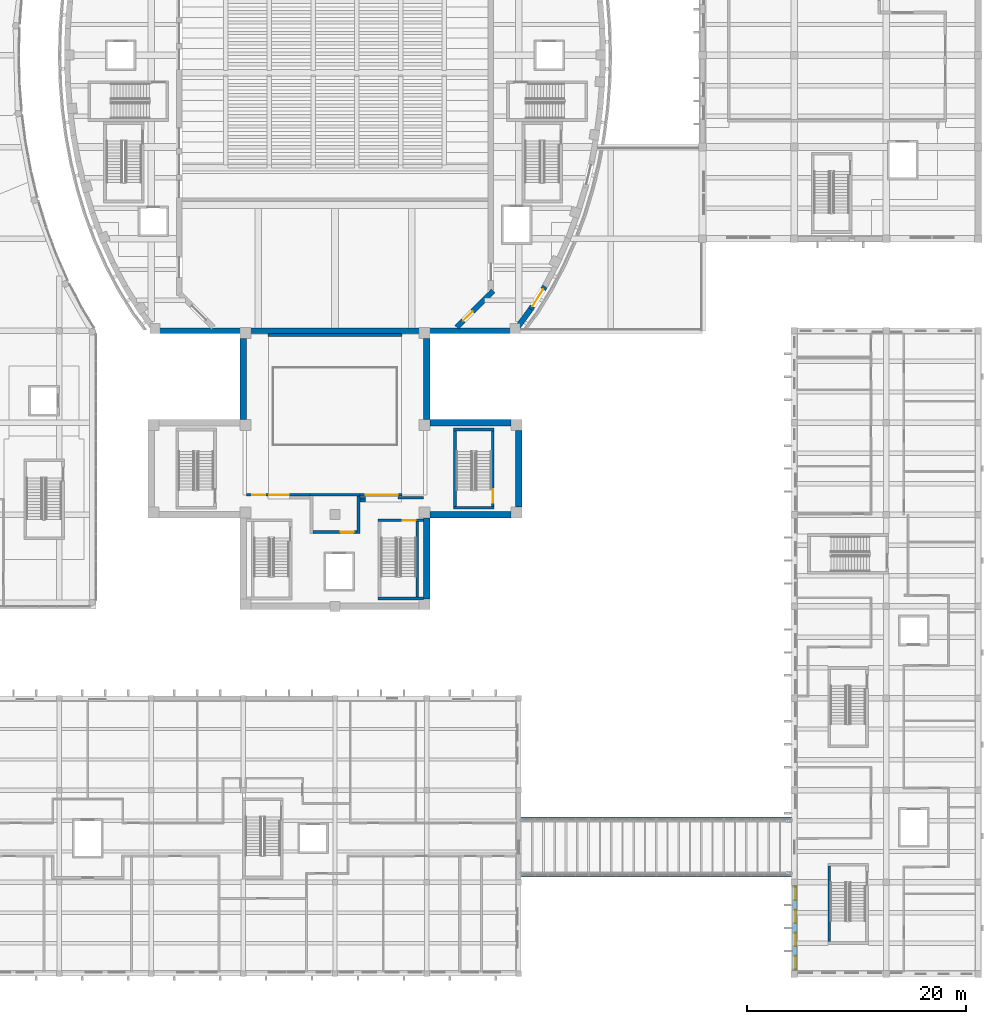
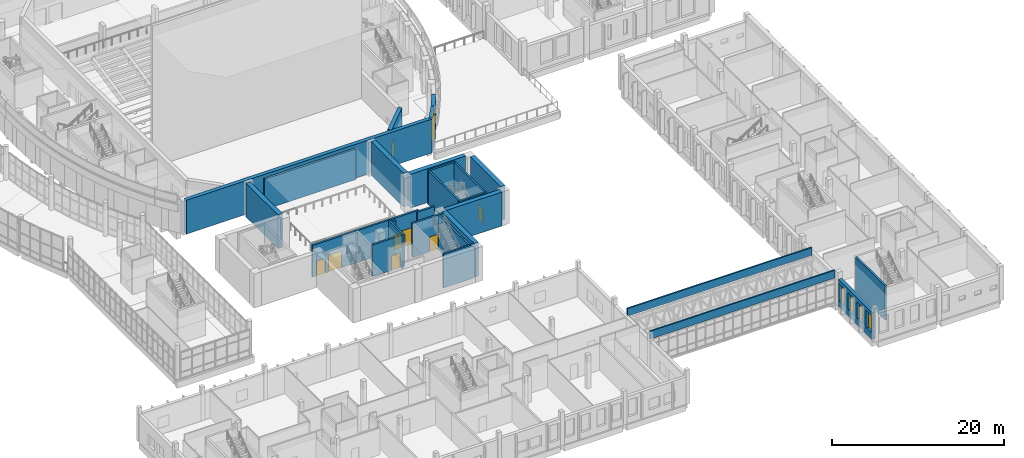
# One storey, part 61 of 119: 30 walls, 9 doors, 4 windows, 13 openings.
"""IFC4 building model written with IfcOpenShell, lengths in metres."""

from ifc_helpers import new_model, si_unit, direction, frame, frame_2d, origin, place, context, subcontext, project, spatial, rectangle, extrude, material, layer, layer_set, type_object, element, fill, save


model = new_model("IFC4")

# Units and contexts
model_context = context("Model", 3, precision=1e-05, world=origin(), true_north=direction((0.0, 1.0)))
body_context = subcontext(model_context, "Body", "Model", "MODEL_VIEW")
ifc_project = project(units=[si_unit("LENGTHUNIT", "METRE"), si_unit("AREAUNIT", "SQUARE_METRE"), si_unit("VOLUMEUNIT", "CUBIC_METRE"), si_unit("PLANEANGLEUNIT", "RADIAN"), si_unit("MASSUNIT", "GRAM", prefix="KILO")], contexts=[model_context])

# Site, building, storey
site_placement = place(None, origin())
site = spatial("IfcSite", under=ifc_project, at=site_placement, CompositionType="ELEMENT")
building_placement = place(site_placement, origin())
building = spatial("IfcBuilding", under=site, at=building_placement, Name="Larchfold Concert Hall", CompositionType="ELEMENT")
storey_placement = place(building_placement, frame((0.0, 0.0, 4.800048828125)))
storey = spatial("IfcBuildingStorey", under=building, at=storey_placement, Name="L01", CompositionType="ELEMENT", Elevation=4.800048828125)

# Walls
ifc_material_1 = material(Name="Plasterboard partition on steel studs", Category="steel")
ifc_layer_1 = layer(ifc_material_1, 0.25)
ifc_layer_set_1 = layer_set([ifc_layer_1], Name="Plasterboard partition on steel studs")
wall_type_1 = type_object("IfcWallType", Name="Hall acoustic double-leaf partition 250", PredefinedType="PARTITIONING", material=ifc_layer_set_1)
wall_1_placement = place(storey_placement, frame((40.323974609375, 44.39990234375, 0.0), z_axis=(0.0, 0.0, 1.0), x_axis=(1.0, 0.0, 0.0)))
element("IfcWall", 1, at=wall_1_placement, inside=storey, type_object=wall_type_1, Name="Partition IW0016", PredefinedType="PARTITIONING", context=body_context, shape_type="SweptSolid", body=[
    extrude(rectangle(XDim=4.551025390625, YDim=0.25, at=frame_2d((2.275390625, 0.0))), origin(), (0.0, 0.0, 1.0), 4.52001953125),
])
wall_2_placement = place(storey_placement, frame((44.75, 44.27490234375, 0.0), z_axis=(0.0, 0.0, 1.0), x_axis=(0.0, -1.0, 0.0)))
element("IfcWall", 2, at=wall_2_placement, inside=storey, type_object=wall_type_1, Name="Partition IW0018", PredefinedType="PARTITIONING", context=body_context, shape_type="SweptSolid", body=[
    extrude(rectangle(XDim=3.39990234375, YDim=0.25, at=frame_2d((1.699951171875, 0.0))), origin(), (0.0, 0.0, 1.0), 4.52001953125),
])

# Wall, opening, door
wall_3_placement = place(storey_placement, frame((44.625, 41.0, 0.0), z_axis=(0.0, 0.0, 1.0), x_axis=(-1.0, 0.0, 0.0)))
wall_3 = element("IfcWall", 3, at=wall_3_placement, inside=storey, type_object=wall_type_1, Name="Partition IW0019", PredefinedType="PARTITIONING", context=body_context, shape_type="SweptSolid", body=[
    extrude(rectangle(XDim=4.050048828125, YDim=0.25, at=frame_2d((2.02490234375, 0.0))), origin(), (0.0, 0.0, 1.0), 4.52001953125),
])
opening_1_placement = place(wall_3_placement, frame((0.315185546875, 0.0, 0.0)))
opening_1 = element("IfcOpeningElement", 4, at=opening_1_placement, cuts=wall_3, Name="Opening D-L01-115", PredefinedType="OPENING", context=body_context, shape_type="SweptSolid", body=[
    extrude(rectangle(XDim=1.199951171875, YDim=2.10009765625, at=frame_2d((0.60009765625, 1.050048828125))), frame((0.0, 0.135009765625, 0.0), z_axis=(0.0, -1.0, 0.0), x_axis=(1.0, 0.0, 0.0)), (0.0, 0.0, 1.0), 0.27001953125),
])
ifc_material_2 = material(Name="Timber door leaf", Category="wood")
door_type_1 = type_object("IfcDoorType", Name="Stage and workshop door pair 1200 x 2100 FD60", OperationType="SINGLE_SWING_LEFT", PredefinedType="DOOR", material=ifc_material_2)
door_1_placement = place(opening_1_placement, origin())
door_1 = element("IfcDoor", 5, at=door_1_placement, inside=storey, type_object=door_type_1, Name="Door D-L01-115", OperationType="DOUBLE_DOOR_SINGLE_SWING", OverallHeight=2.10009765625, OverallWidth=1.199951171875, PredefinedType="DOOR", context=body_context, shape_type="SweptSolid", body=[
    extrude(rectangle(XDim=1.199951171875, YDim=2.10009765625, at=frame_2d((0.60009765625, 1.050048828125))), frame((0.0, 0.02490234375, 0.0), z_axis=(0.0, -1.0, 0.0), x_axis=(1.0, 0.0, 0.0)), (0.0, 0.0, 1.0), 0.050048828125),
])
fill(opening_1, door_1)

# Wall
wall_4_placement = place(storey_placement, frame((36.47998046875, 59.02294921875, 0.0), z_axis=(0.0, 0.0, 1.0), x_axis=(1.0, 0.0, 0.0)))
element("IfcWall", 6, at=wall_4_placement, inside=storey, type_object=wall_type_1, Name="Partition IW0020", PredefinedType="PARTITIONING", context=body_context, shape_type="SweptSolid", body=[
    extrude(rectangle(XDim=12.239990234375, YDim=0.25, at=frame_2d((6.1201171875, 0.0))), origin(), (0.0, 0.0, 1.0), 4.31982421875),
])

# Wall, openings, doors
wall_5_placement = place(storey_placement, frame((48.719970703125, 44.39990234375, 0.0), z_axis=(0.0, 0.0, 1.0), x_axis=(-1.0, 0.0, 0.0)))
wall_5 = element("IfcWall", 7, at=wall_5_placement, inside=storey, type_object=wall_type_1, Name="Partition IW0021", PredefinedType="PARTITIONING", context=body_context, shape_type="SweptSolid", body=[
    extrude(rectangle(XDim=3.8349609375, YDim=0.25, at=frame_2d((1.91748046875, 0.0))), origin(), (0.0, 0.0, 1.0), 4.52001953125),
])
opening_2_placement = place(wall_5_placement, frame((0.393798828125, 0.0, 0.0)))
opening_2 = element("IfcOpeningElement", 8, at=opening_2_placement, cuts=wall_5, Name="Opening D-L01-116", PredefinedType="OPENING", context=body_context, shape_type="SweptSolid", body=[
    extrude(rectangle(XDim=1.800048828125, YDim=2.39990234375, at=frame_2d((0.89990234375, 1.199951171875))), frame((0.0, 0.135009765625, 0.0), z_axis=(0.0, -1.0, 0.0), x_axis=(1.0, 0.0, 0.0)), (0.0, 0.0, 1.0), 0.27001953125),
])
opening_3_placement = place(wall_5_placement, frame((2.29150390625, 0.0, 0.0)))
opening_3 = element("IfcOpeningElement", 9, at=opening_3_placement, cuts=wall_5, Name="Opening D-L01-117", PredefinedType="OPENING", context=body_context, shape_type="SweptSolid", body=[
    extrude(rectangle(XDim=1.0, YDim=2.10009765625, at=frame_2d((0.5, 1.050048828125))), frame((0.0, 0.135009765625, 0.0), z_axis=(0.0, -1.0, 0.0), x_axis=(1.0, 0.0, 0.0)), (0.0, 0.0, 1.0), 0.27001953125),
])
ifc_material_3 = material(Name="Timber door leaf", Category="wood")
door_type_2 = type_object("IfcDoorType", Name="Hall vomitory door pair, acoustic 1000 x 2100 FD60", OperationType="SINGLE_SWING_LEFT", PredefinedType="DOOR", material=ifc_material_3)
door_2_placement = place(opening_3_placement, origin())
door_2 = element("IfcDoor", 10, at=door_2_placement, inside=storey, type_object=door_type_2, Name="Door D-L01-117", OperationType="SINGLE_SWING_LEFT", OverallHeight=2.10009765625, OverallWidth=1.0, PredefinedType="DOOR", context=body_context, shape_type="SweptSolid", body=[
    extrude(rectangle(XDim=1.0, YDim=2.10009765625, at=frame_2d((0.5, 1.050048828125))), frame((0.0, 0.02490234375, 0.0), z_axis=(0.0, -1.0, 0.0), x_axis=(1.0, 0.0, 0.0)), (0.0, 0.0, 1.0), 0.050048828125),
])
fill(opening_3, door_2)
ifc_material_4 = material(Name="Timber door leaf", Category="wood")
door_type_3 = type_object("IfcDoorType", Name="Hall vomitory door pair, acoustic 1800 x 2400 FD60", OperationType="SINGLE_SWING_LEFT", PredefinedType="DOOR", material=ifc_material_4)
door_3_placement = place(opening_2_placement, origin())
door_3 = element("IfcDoor", 11, at=door_3_placement, inside=storey, type_object=door_type_3, Name="Door D-L01-116", OperationType="DOUBLE_DOOR_SINGLE_SWING", OverallHeight=2.39990234375, OverallWidth=1.800048828125, PredefinedType="DOOR", context=body_context, shape_type="SweptSolid", body=[
    extrude(rectangle(XDim=1.800048828125, YDim=2.39990234375, at=frame_2d((0.89990234375, 1.199951171875))), frame((0.0, 0.02490234375, 0.0), z_axis=(0.0, -1.0, 0.0), x_axis=(1.0, 0.0, 0.0)), (0.0, 0.0, 1.0), 0.050048828125),
])
fill(opening_2, door_3)

# Wall
wall_6_placement = place(storey_placement, frame((50.699951171875, 44.14794921875, 0.0), z_axis=(0.0, 0.0, 1.0), x_axis=(-1.0, 0.0, 0.0)))
element("IfcWall", 12, at=wall_6_placement, inside=storey, type_object=wall_type_1, Name="Partition IW0022", PredefinedType="PARTITIONING", context=body_context, shape_type="SweptSolid", body=[
    extrude(rectangle(XDim=2.32373046875, YDim=0.25, at=frame_2d((1.161865234375, 0.0))), origin(), (0.0, 0.0, 1.0), 4.52001953125),
])

# Wall, openings, doors
wall_7_placement = place(storey_placement, frame((40.323974609375, 44.39990234375, 0.0), z_axis=(0.0, 0.0, 1.0), x_axis=(-1.0, 0.0, 0.0)))
wall_7 = element("IfcWall", 13, at=wall_7_placement, inside=storey, type_object=wall_type_1, Name="Partition IW0023", PredefinedType="PARTITIONING", context=body_context, shape_type="SweptSolid", body=[
    extrude(rectangle(XDim=5.823974609375, YDim=0.25, at=frame_2d((2.912109375, 0.0))), origin(), (0.0, 0.0, 1.0), 4.52001953125),
])
opening_4_placement = place(wall_7_placement, frame((1.939208984375, 0.0, 0.0)))
opening_4 = element("IfcOpeningElement", 14, at=opening_4_placement, cuts=wall_7, Name="Opening D-L01-118", PredefinedType="OPENING", context=body_context, shape_type="SweptSolid", body=[
    extrude(rectangle(XDim=1.800048828125, YDim=2.39990234375, at=frame_2d((0.89990234375, 1.199951171875))), frame((0.0, 0.135009765625, 0.0), z_axis=(0.0, -1.0, 0.0), x_axis=(1.0, 0.0, 0.0)), (0.0, 0.0, 1.0), 0.27001953125),
])
opening_5_placement = place(wall_7_placement, frame((4.089111328125, 0.0, 0.0)))
opening_5 = element("IfcOpeningElement", 15, at=opening_5_placement, cuts=wall_7, Name="Opening D-L01-119", PredefinedType="OPENING", context=body_context, shape_type="SweptSolid", body=[
    extrude(rectangle(XDim=1.199951171875, YDim=2.10009765625, at=frame_2d((0.60009765625, 1.050048828125))), frame((0.0, 0.135009765625, 0.0), z_axis=(0.0, -1.0, 0.0), x_axis=(1.0, 0.0, 0.0)), (0.0, 0.0, 1.0), 0.27001953125),
])
ifc_material_5 = material(Name="Timber door leaf", Category="wood")
door_type_4 = type_object("IfcDoorType", Name="Hall vomitory door pair, acoustic 1200 x 2100 FD60", OperationType="SINGLE_SWING_LEFT", PredefinedType="DOOR", material=ifc_material_5)
door_4_placement = place(opening_5_placement, origin())
door_4 = element("IfcDoor", 16, at=door_4_placement, inside=storey, type_object=door_type_4, Name="Door D-L01-119", OperationType="DOUBLE_DOOR_SINGLE_SWING", OverallHeight=2.10009765625, OverallWidth=1.199951171875, PredefinedType="DOOR", context=body_context, shape_type="SweptSolid", body=[
    extrude(rectangle(XDim=1.199951171875, YDim=2.10009765625, at=frame_2d((0.60009765625, 1.050048828125))), frame((0.0, 0.02490234375, 0.0), z_axis=(0.0, -1.0, 0.0), x_axis=(1.0, 0.0, 0.0)), (0.0, 0.0, 1.0), 0.050048828125),
])
fill(opening_5, door_4)
door_5_placement = place(opening_4_placement, origin())
door_5 = element("IfcDoor", 17, at=door_5_placement, inside=storey, type_object=door_type_3, Name="Door D-L01-118", OperationType="DOUBLE_DOOR_SINGLE_SWING", OverallHeight=2.39990234375, OverallWidth=1.800048828125, PredefinedType="DOOR", context=body_context, shape_type="SweptSolid", body=[
    extrude(rectangle(XDim=1.800048828125, YDim=2.39990234375, at=frame_2d((0.89990234375, 1.199951171875))), frame((0.0, 0.02490234375, 0.0), z_axis=(0.0, -1.0, 0.0), x_axis=(1.0, 0.0, 0.0)), (0.0, 0.0, 1.0), 0.050048828125),
])
fill(opening_4, door_5)

# Walls
for number, where, z_axis, x_axis, name in (
    (18, (45.37841796875, 43.89599609375, 0.0), (0.0, 0.0, 1.0), (-1.0, 0.0, 0.0), "Partition IW0024"),
    (19, (45.37841796875, 44.14794921875, 0.0), (0.0, 0.0, 1.0), (-1.0, 0.0, 0.0), "Partition IW0155"),
):
    element("IfcWall", number, at=place(storey_placement, frame(where, z_axis=z_axis, x_axis=x_axis)), inside=storey, type_object=wall_type_1, Name=name, PredefinedType="PARTITIONING", context=body_context, shape_type="SweptSolid", body=[
        extrude(rectangle(XDim=0.50341796875, YDim=0.25, at=frame_2d((0.251708984375, 0.0))), origin(), (0.0, 0.0, 1.0), 4.52001953125),
    ])
ifc_material_6 = material(Name="White render on insulated block")
ifc_layer_2 = layer(ifc_material_6, 0.199951171875)
ifc_layer_set_2 = layer_set([ifc_layer_2], Name="White render on insulated block")
wall_type_2 = type_object("IfcWallType", Name="Roof parapet 200", PredefinedType="PARAPET", material=ifc_layer_set_2)
for number, where, z_axis, x_axis, name in (
    (20, (84.344970703125, 14.849853515625, 3.579833984375), (0.0, 0.0, 1.0), (-1.0, 0.0, 0.0), "Parapet PW0073"),
    (21, (59.599853515625, 9.550048828125, 3.579833984375), (0.0, 0.0, 1.0), (1.0, 0.0, 0.0), "Parapet PW0074"),
):
    element("IfcWall", number, at=place(storey_placement, frame(where, z_axis=z_axis, x_axis=x_axis)), inside=storey, type_object=wall_type_2, Name=name, PredefinedType="PARAPET", context=body_context, shape_type="SweptSolid", body=[
        extrude(rectangle(XDim=24.7451171875, YDim=0.199951171875, at=frame_2d((12.37255859375, 0.0))), origin(), (0.0, 0.0, 1.0), 1.10009765625),
    ])
ifc_material_7 = material(Name="Concrete C40/50", Category="concrete")
ifc_layer_3 = layer(ifc_material_7, 0.25)
ifc_layer_set_3 = layer_set([ifc_layer_3], Name="Concrete C40/50")
wall_type_3 = type_object("IfcWallType", Name="Wall RC 250 stair core", PredefinedType="SOLIDWALL", material=ifc_layer_set_3)
for number, where, z_axis, x_axis, name in (
    (22, (53.449951171875, 43.22509765625, 0.0), (0.0, 0.0, 1.0), (1.0, 0.0, 0.0), "Wall W0068"),
    (23, (53.449951171875, 50.375, 0.0), (0.0, 0.0, 1.0), (1.0, 0.0, 0.0), "Wall W0069"),
):
    element("IfcWall", number, at=place(storey_placement, frame(where, z_axis=z_axis, x_axis=x_axis)), inside=storey, type_object=wall_type_3, Name=name, PredefinedType="SOLIDWALL", context=body_context, shape_type="SweptSolid", body=[
        extrude(rectangle(XDim=3.699951171875, YDim=0.25, at=frame_2d((1.85009765625, 0.0))), origin(), (0.0, 0.0, 1.0), 4.800048828125),
    ])
wall_8_placement = place(storey_placement, frame((53.574951171875, 43.35009765625, 0.0), z_axis=(0.0, 0.0, 1.0), x_axis=(0.0, 1.0, 0.0)))
element("IfcWall", 24, at=wall_8_placement, inside=storey, type_object=wall_type_3, Name="Wall W0070", PredefinedType="SOLIDWALL", context=body_context, shape_type="SweptSolid", body=[
    extrude(rectangle(XDim=6.89990234375, YDim=0.25, at=frame_2d((3.449951171875, 0.0))), origin(), (0.0, 0.0, 1.0), 4.800048828125),
])

# Wall, opening, door
wall_9_placement = place(storey_placement, frame((57.02490234375, 43.35009765625, 0.0), z_axis=(0.0, 0.0, 1.0), x_axis=(0.0, 1.0, 0.0)))
wall_9 = element("IfcWall", 25, at=wall_9_placement, inside=storey, type_object=wall_type_3, Name="Wall W0071", PredefinedType="SOLIDWALL", context=body_context, shape_type="SweptSolid", body=[
    extrude(rectangle(XDim=6.89990234375, YDim=0.25, at=frame_2d((3.449951171875, 0.0))), origin(), (0.0, 0.0, 1.0), 4.800048828125),
])
opening_6_placement = place(wall_9_placement, frame((0.35009765625, 0.0, 0.0)))
opening_6 = element("IfcOpeningElement", 26, at=opening_6_placement, cuts=wall_9, Name="Opening D-L01-172", PredefinedType="OPENING", context=body_context, shape_type="SweptSolid", body=[
    extrude(rectangle(XDim=1.199951171875, YDim=2.10009765625, at=frame_2d((0.60009765625, 1.050048828125))), frame((0.0, 0.135009765625, 0.0), z_axis=(0.0, -1.0, 0.0), x_axis=(1.0, 0.0, 0.0)), (0.0, 0.0, 1.0), 0.27001953125),
])
ifc_material_8 = material(Name="Timber door leaf", Category="wood")
door_type_5 = type_object("IfcDoorType", Name="Stair enclosure door pair 1200 x 2100 FD60", OperationType="SINGLE_SWING_LEFT", PredefinedType="DOOR", material=ifc_material_8)
door_6_placement = place(opening_6_placement, origin())
door_6 = element("IfcDoor", 27, at=door_6_placement, inside=storey, type_object=door_type_5, Name="Door D-L01-172", OperationType="DOUBLE_DOOR_SINGLE_SWING", OverallHeight=2.10009765625, OverallWidth=1.199951171875, PredefinedType="DOOR", context=body_context, shape_type="SweptSolid", body=[
    extrude(rectangle(XDim=1.199951171875, YDim=2.10009765625, at=frame_2d((0.60009765625, 1.050048828125))), frame((0.0, 0.02490234375, 0.0), z_axis=(0.0, -1.0, 0.0), x_axis=(1.0, 0.0, 0.0)), (0.0, 0.0, 1.0), 0.050048828125),
])
fill(opening_6, door_6)

# Wall
wall_10_placement = place(storey_placement, frame((46.550048828125, 34.925048828125, 0.0), z_axis=(0.0, 0.0, 1.0), x_axis=(1.0, 0.0, 0.0)))
element("IfcWall", 28, at=wall_10_placement, inside=storey, type_object=wall_type_3, Name="Wall W0076", PredefinedType="SOLIDWALL", context=body_context, shape_type="SweptSolid", body=[
    extrude(rectangle(XDim=4.14990234375, YDim=0.25, at=frame_2d((2.074951171875, 0.0))), origin(), (0.0, 0.0, 1.0), 4.800048828125),
])

# Wall, opening, door
wall_11_placement = place(storey_placement, frame((46.550048828125, 42.074951171875, 0.0), z_axis=(0.0, 0.0, 1.0), x_axis=(1.0, 0.0, 0.0)))
wall_11 = element("IfcWall", 29, at=wall_11_placement, inside=storey, type_object=wall_type_3, Name="Wall W0077", PredefinedType="SOLIDWALL", context=body_context, shape_type="SweptSolid", body=[
    extrude(rectangle(XDim=4.14990234375, YDim=0.25, at=frame_2d((2.074951171875, 0.0))), origin(), (0.0, 0.0, 1.0), 4.800048828125),
])
opening_7_placement = place(wall_11_placement, frame((2.25, 0.0, 0.0)))
opening_7 = element("IfcOpeningElement", 30, at=opening_7_placement, cuts=wall_11, Name="Opening D-L01-170", PredefinedType="OPENING", context=body_context, shape_type="SweptSolid", body=[
    extrude(rectangle(XDim=1.199951171875, YDim=2.10009765625, at=frame_2d((0.60009765625, 1.050048828125))), frame((0.0, 0.135009765625, 0.0), z_axis=(0.0, -1.0, 0.0), x_axis=(1.0, 0.0, 0.0)), (0.0, 0.0, 1.0), 0.27001953125),
])
door_7_placement = place(opening_7_placement, origin())
door_7 = element("IfcDoor", 31, at=door_7_placement, inside=storey, type_object=door_type_5, Name="Door D-L01-170", OperationType="DOUBLE_DOOR_SINGLE_SWING", OverallHeight=2.10009765625, OverallWidth=1.199951171875, PredefinedType="DOOR", context=body_context, shape_type="SweptSolid", body=[
    extrude(rectangle(XDim=1.199951171875, YDim=2.10009765625, at=frame_2d((0.60009765625, 1.050048828125))), frame((0.0, 0.02490234375, 0.0), z_axis=(0.0, -1.0, 0.0), x_axis=(1.0, 0.0, 0.0)), (0.0, 0.0, 1.0), 0.050048828125),
])
fill(opening_7, door_7)

# Walls
for number, where, z_axis, x_axis, name in (
    (32, (50.125, 35.050048828125, 0.0), (0.0, 0.0, 1.0), (0.0, 1.0, 0.0), "Wall W0079"),
    (33, (87.77490234375, 3.550048828125, 0.0), (0.0, 0.0, 1.0), (0.0, 1.0, 0.0), "Wall W0082"),
):
    element("IfcWall", number, at=place(storey_placement, frame(where, z_axis=z_axis, x_axis=x_axis)), inside=storey, type_object=wall_type_3, Name=name, PredefinedType="SOLIDWALL", context=body_context, shape_type="SweptSolid", body=[
        extrude(rectangle(XDim=6.89990234375, YDim=0.25, at=frame_2d((3.449951171875, 0.0))), origin(), (0.0, 0.0, 1.0), 4.800048828125),
    ])
ifc_material_9 = material(Name="Concrete C30/37", Category="concrete")
ifc_layer_4 = layer(ifc_material_9, 0.5)
ifc_layer_set_4 = layer_set([ifc_layer_4], Name="Concrete C30/37")
wall_type_4 = type_object("IfcWallType", Name="Wall RC 500 drum facade", PredefinedType="SOLIDWALL", material=ifc_layer_set_4)
wall_12_placement = place(storey_placement, frame((26.153076171875, 59.39990234375, 0.0), z_axis=(0.0, 0.0, 1.0), x_axis=(1.0, 0.0, 0.0)))
element("IfcWall", 34, at=wall_12_placement, inside=storey, type_object=wall_type_4, Name="Wall DW050", PredefinedType="SOLIDWALL", context=body_context, shape_type="SweptSolid", body=[
    extrude(rectangle(XDim=32.89404296875, YDim=0.5, at=frame_2d((16.447021484375, 0.0))), origin(), (0.0, 0.0, 1.0), 4.800048828125),
])
wall_13_placement = place(storey_placement, frame((59.047119140625, 59.39990234375, 0.0), z_axis=(0.0, 0.0, 1.0), x_axis=(0.590771306399, 0.806839056774, 0.0)))
element("IfcWall", 35, at=wall_13_placement, inside=storey, type_object=wall_type_4, Name="Wall DW051", PredefinedType="SOLIDWALL", context=body_context, shape_type="SweptSolid", body=[
    extrude(rectangle(XDim=2.448486328125, YDim=0.5, at=frame_2d((1.22412109375, 0.0))), origin(), (0.0, 0.0, 1.0), 4.800048828125),
])

# Wall, opening, door
wall_14_placement = place(storey_placement, frame((60.49365234375, 61.37548828125, 0.0), z_axis=(0.0, 0.0, 1.0), x_axis=(0.527702820527, 0.849429063082, 0.0)))
wall_14 = element("IfcWall", 36, at=wall_14_placement, inside=storey, type_object=wall_type_4, Name="Wall DW052", PredefinedType="SOLIDWALL", context=body_context, shape_type="SweptSolid", body=[
    extrude(rectangle(XDim=2.44873046875, YDim=0.5, at=frame_2d((1.224365234375, 0.0))), origin(), (0.0, 0.0, 1.0), 4.800048828125),
])
opening_8_placement = place(wall_14_placement, frame((0.324462890625, 0.0, 0.0)))
opening_8 = element("IfcOpeningElement", 37, at=opening_8_placement, cuts=wall_14, Name="Opening D-L01-201", PredefinedType="OPENING", context=body_context, shape_type="SweptSolid", body=[
    extrude(rectangle(XDim=1.800048828125, YDim=2.39990234375, at=frame_2d((0.89990234375, 1.199951171875))), frame((0.0, 0.260009765625, 0.0), z_axis=(0.0, -1.0, 0.0), x_axis=(1.0, 0.0, 0.0)), (0.0, 0.0, 1.0), 0.52001953125),
])
ifc_material_10 = material(Name="Anodised graphite aluminium door leaf", Category="aluminium")
door_type_6 = type_object("IfcDoorType", Name="Double door 1800x2400", OperationType="DOUBLE_DOOR_SINGLE_SWING", PredefinedType="DOOR", material=ifc_material_10)
door_8_placement = place(opening_8_placement, origin())
door_8 = element("IfcDoor", 38, at=door_8_placement, inside=storey, type_object=door_type_6, Name="Door D-L01-201", OperationType="DOUBLE_DOOR_SINGLE_SWING", OverallHeight=2.39990234375, OverallWidth=1.800048828125, PredefinedType="DOOR", context=body_context, shape_type="SweptSolid", body=[
    extrude(rectangle(XDim=1.800048828125, YDim=2.39990234375, at=frame_2d((0.89990234375, 1.199951171875))), frame((0.0, 0.02490234375, 0.0), z_axis=(0.0, -1.0, 0.0), x_axis=(1.0, 0.0, 0.0)), (0.0, 0.0, 1.0), 0.050048828125),
])
fill(opening_8, door_8)

ifc_material_11 = material(Name="Concrete C40/50", Category="concrete")
ifc_layer_5 = layer(ifc_material_11, 0.5)
ifc_layer_set_5 = layer_set([ifc_layer_5], Name="Concrete C40/50")
wall_type_5 = type_object("IfcWallType", Name="Wall RC 500 hall shell", PredefinedType="SOLIDWALL", material=ifc_layer_set_5)
wall_15_placement = place(storey_placement, frame((53.722900390625, 59.72265625, 0.0), z_axis=(0.0, 0.0, 1.0), x_axis=(0.707106781187, 0.707106781187, 0.0)))
wall_15 = element("IfcWall", 39, at=wall_15_placement, inside=storey, type_object=wall_type_5, Name="Wall W0001", PredefinedType="SOLIDWALL", context=body_context, shape_type="SweptSolid", body=[
    extrude(rectangle(XDim=4.720947265625, YDim=0.5, at=frame_2d((2.3603515625, 0.0))), origin(), (0.0, 0.0, 1.0), 4.800048828125),
])
opening_9_placement = place(wall_15_placement, frame((0.846923828125, 0.0, 0.0)))
opening_9 = element("IfcOpeningElement", 40, at=opening_9_placement, cuts=wall_15, Name="Opening D-L01-103", PredefinedType="OPENING", context=body_context, shape_type="SweptSolid", body=[
    extrude(rectangle(XDim=1.199951171875, YDim=2.10009765625, at=frame_2d((0.60009765625, 1.050048828125))), frame((0.0, 0.260009765625, 0.0), z_axis=(0.0, -1.0, 0.0), x_axis=(1.0, 0.0, 0.0)), (0.0, 0.0, 1.0), 0.52001953125),
])
door_9_placement = place(opening_9_placement, origin())
door_9 = element("IfcDoor", 41, at=door_9_placement, inside=storey, type_object=door_type_4, Name="Door D-L01-103", OperationType="DOUBLE_DOOR_SINGLE_SWING", OverallHeight=2.10009765625, OverallWidth=1.199951171875, PredefinedType="DOOR", context=body_context, shape_type="SweptSolid", body=[
    extrude(rectangle(XDim=1.199951171875, YDim=2.10009765625, at=frame_2d((0.60009765625, 1.050048828125))), frame((0.0, 0.02490234375, 0.0), z_axis=(0.0, -1.0, 0.0), x_axis=(1.0, 0.0, 0.0)), (0.0, 0.0, 1.0), 0.050048828125),
])
fill(opening_9, door_9)

# Walls
ifc_material_12 = material(Name="Concrete C40/50", Category="concrete")
ifc_layer_6 = layer(ifc_material_12, 0.60009765625)
ifc_layer_set_6 = layer_set([ifc_layer_6], Name="Concrete C40/50")
wall_type_6 = type_object("IfcWallType", Name="Wall RC 600 stage house", PredefinedType="SOLIDWALL", material=ifc_layer_set_6)
wall_16_placement = place(storey_placement, frame((51.300048828125, 42.60009765625, 0.0), z_axis=(0.0, 0.0, 1.0), x_axis=(1.0, 0.0, 0.0)))
element("IfcWall", 42, at=wall_16_placement, inside=storey, type_object=wall_type_6, Name="Wall W0008", PredefinedType="SOLIDWALL", context=body_context, shape_type="SweptSolid", body=[
    extrude(rectangle(XDim=7.39990234375, YDim=0.60009765625, at=frame_2d((3.699951171875, 0.0))), origin(), (0.0, 0.0, 1.0), 4.800048828125),
])
wall_17_placement = place(storey_placement, frame((59.39990234375, 43.300048828125, 0.0), z_axis=(0.0, 0.0, 1.0), x_axis=(0.0, 1.0, 0.0)))
element("IfcWall", 43, at=wall_17_placement, inside=storey, type_object=wall_type_6, Name="Wall W0009", PredefinedType="SOLIDWALL", context=body_context, shape_type="SweptSolid", body=[
    extrude(rectangle(XDim=7.0, YDim=0.60009765625, at=frame_2d((3.5, 0.0))), origin(), (0.0, 0.0, 1.0), 4.800048828125),
])
for number, where, z_axis, x_axis, name in (
    (44, (58.699951171875, 51.0, 0.0), (0.0, 0.0, 1.0), (-1.0, 0.0, 0.0), "Wall W0010"),
    (45, (51.0, 51.300048828125, 0.0), (0.0, 0.0, 1.0), (0.0, 1.0, 0.0), "Wall W0011"),
    (46, (34.199951171875, 58.699951171875, 0.0), (0.0, 0.0, 1.0), (0.0, -1.0, 0.0), "Wall W0012"),
):
    element("IfcWall", number, at=place(storey_placement, frame(where, z_axis=z_axis, x_axis=x_axis)), inside=storey, type_object=wall_type_6, Name=name, PredefinedType="SOLIDWALL", context=body_context, shape_type="SweptSolid", body=[
        extrude(rectangle(XDim=7.39990234375, YDim=0.60009765625, at=frame_2d((3.699951171875, 0.0))), origin(), (0.0, 0.0, 1.0), 4.800048828125),
    ])
wall_18_placement = place(storey_placement, frame((51.0, 34.89990234375, 0.0), z_axis=(0.0, 0.0, 1.0), x_axis=(0.0, 1.0, 0.0)))
element("IfcWall", 47, at=wall_18_placement, inside=storey, type_object=wall_type_6, Name="Wall W0019", PredefinedType="SOLIDWALL", context=body_context, shape_type="SweptSolid", body=[
    extrude(rectangle(XDim=7.400146484375, YDim=0.60009765625, at=frame_2d((3.7001953125, 0.0))), origin(), (0.0, 0.0, 1.0), 4.800048828125),
])

# Wall, openings, windows
ifc_material_13 = material(Name="White render on mineral wool and block")
ifc_layer_7 = layer(ifc_material_13, 0.449951171875)
ifc_layer_set_7 = layer_set([ifc_layer_7], Name="White render on mineral wool and block")
wall_type_7 = type_object("IfcWallType", Name="White render infill wall 450", PredefinedType="SOLIDWALL", material=ifc_layer_set_7)
wall_19_placement = place(storey_placement, frame((84.60009765625, 8.699951171875, 0.0), z_axis=(0.0, 0.0, 1.0), x_axis=(0.0, -1.0, 0.0)))
wall_19 = element("IfcWall", 48, at=wall_19_placement, inside=storey, type_object=wall_type_7, Name="Infill wall W5142", PredefinedType="SOLIDWALL", context=body_context, shape_type="SweptSolid", body=[
    extrude(rectangle(XDim=7.7998046875, YDim=0.449951171875, at=frame_2d((3.89990234375, 0.0))), origin(), (0.0, 0.0, 1.0), 3.840087890625),
])
opening_10_placement = place(wall_19_placement, frame((6.449951171875, 0.0, 0.89990234375)))
opening_10 = element("IfcOpeningElement", 49, at=opening_10_placement, cuts=wall_19, Name="Opening WN-L01-086", PredefinedType="OPENING", context=body_context, shape_type="SweptSolid", body=[
    extrude(rectangle(XDim=1.199951171875, YDim=2.39990234375, at=frame_2d((0.60009765625, 1.199951171875))), frame((0.0, 0.23486328125, 0.0), z_axis=(0.0, -1.0, 0.0), x_axis=(1.0, 0.0, 0.0)), (0.0, 0.0, 1.0), 0.469970703125),
])
opening_11_placement = place(wall_19_placement, frame((4.349853515625, 0.0, 0.89990234375)))
opening_11 = element("IfcOpeningElement", 50, at=opening_11_placement, cuts=wall_19, Name="Opening WN-L01-087", PredefinedType="OPENING", context=body_context, shape_type="SweptSolid", body=[
    extrude(rectangle(XDim=1.199951171875, YDim=2.39990234375, at=frame_2d((0.60009765625, 1.199951171875))), frame((0.0, 0.23486328125, 0.0), z_axis=(0.0, -1.0, 0.0), x_axis=(1.0, 0.0, 0.0)), (0.0, 0.0, 1.0), 0.469970703125),
])
opening_12_placement = place(wall_19_placement, frame((2.25, 0.0, 0.89990234375)))
opening_12 = element("IfcOpeningElement", 51, at=opening_12_placement, cuts=wall_19, Name="Opening WN-L01-088", PredefinedType="OPENING", context=body_context, shape_type="SweptSolid", body=[
    extrude(rectangle(XDim=1.199951171875, YDim=2.39990234375, at=frame_2d((0.60009765625, 1.199951171875))), frame((0.0, 0.23486328125, 0.0), z_axis=(0.0, -1.0, 0.0), x_axis=(1.0, 0.0, 0.0)), (0.0, 0.0, 1.0), 0.469970703125),
])
opening_13_placement = place(wall_19_placement, frame((0.14990234375, 0.0, 0.89990234375)))
opening_13 = element("IfcOpeningElement", 52, at=opening_13_placement, cuts=wall_19, Name="Opening WN-L01-089", PredefinedType="OPENING", context=body_context, shape_type="SweptSolid", body=[
    extrude(rectangle(XDim=1.199951171875, YDim=2.39990234375, at=frame_2d((0.60009765625, 1.199951171875))), frame((0.0, 0.23486328125, 0.0), z_axis=(0.0, -1.0, 0.0), x_axis=(1.0, 0.0, 0.0)), (0.0, 0.0, 1.0), 0.469970703125),
])
ifc_material_14 = material(Name="Anodised graphite aluminium frame with glass", Category="aluminium")
window_type = type_object("IfcWindowType", Name="Slot window 1200x2400", PartitioningType="SINGLE_PANEL", PredefinedType="WINDOW", material=ifc_material_14)
window_1_placement = place(opening_10_placement, origin())
window_1 = element("IfcWindow", 53, at=window_1_placement, inside=storey, type_object=window_type, Name="Window WN-L01-086", OverallHeight=2.39990234375, OverallWidth=1.199951171875, PartitioningType="SINGLE_PANEL", PredefinedType="WINDOW", context=body_context, shape_type="SweptSolid", body=[
    extrude(rectangle(XDim=1.199951171875, YDim=2.39990234375, at=frame_2d((0.60009765625, 1.199951171875))), frame((0.0, 0.135009765625, 0.0), z_axis=(0.0, -1.0, 0.0), x_axis=(1.0, 0.0, 0.0)), (0.0, 0.0, 1.0), 0.06005859375),
])
fill(opening_10, window_1)
window_2_placement = place(opening_11_placement, origin())
window_2 = element("IfcWindow", 54, at=window_2_placement, inside=storey, type_object=window_type, Name="Window WN-L01-087", OverallHeight=2.39990234375, OverallWidth=1.199951171875, PartitioningType="SINGLE_PANEL", PredefinedType="WINDOW", context=body_context, shape_type="SweptSolid", body=[
    extrude(rectangle(XDim=1.199951171875, YDim=2.39990234375, at=frame_2d((0.60009765625, 1.199951171875))), frame((0.0, 0.135009765625, 0.0), z_axis=(0.0, -1.0, 0.0), x_axis=(1.0, 0.0, 0.0)), (0.0, 0.0, 1.0), 0.06005859375),
])
fill(opening_11, window_2)
window_3_placement = place(opening_12_placement, origin())
window_3 = element("IfcWindow", 55, at=window_3_placement, inside=storey, type_object=window_type, Name="Window WN-L01-088", OverallHeight=2.39990234375, OverallWidth=1.199951171875, PartitioningType="SINGLE_PANEL", PredefinedType="WINDOW", context=body_context, shape_type="SweptSolid", body=[
    extrude(rectangle(XDim=1.199951171875, YDim=2.39990234375, at=frame_2d((0.60009765625, 1.199951171875))), frame((0.0, 0.135009765625, 0.0), z_axis=(0.0, -1.0, 0.0), x_axis=(1.0, 0.0, 0.0)), (0.0, 0.0, 1.0), 0.06005859375),
])
fill(opening_12, window_3)
window_4_placement = place(opening_13_placement, origin())
window_4 = element("IfcWindow", 56, at=window_4_placement, inside=storey, type_object=window_type, Name="Window WN-L01-089", OverallHeight=2.39990234375, OverallWidth=1.199951171875, PartitioningType="SINGLE_PANEL", PredefinedType="WINDOW", context=body_context, shape_type="SweptSolid", body=[
    extrude(rectangle(XDim=1.199951171875, YDim=2.39990234375, at=frame_2d((0.60009765625, 1.199951171875))), frame((0.0, 0.135009765625, 0.0), z_axis=(0.0, -1.0, 0.0), x_axis=(1.0, 0.0, 0.0)), (0.0, 0.0, 1.0), 0.06005859375),
])
fill(opening_13, window_4)

save(model, "model.ifc")
